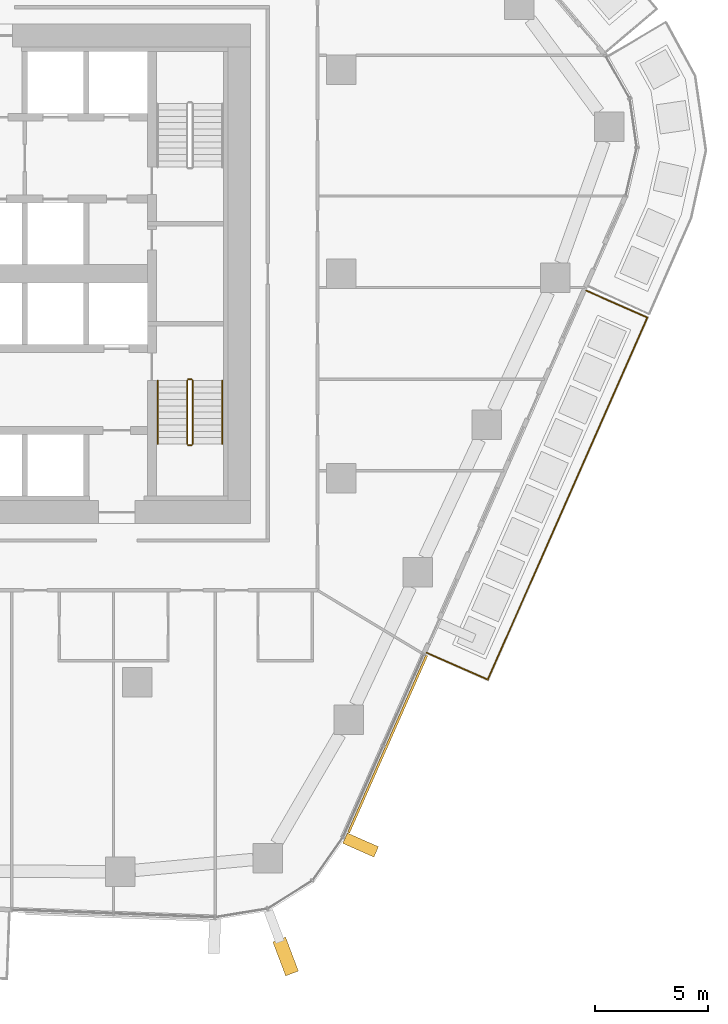
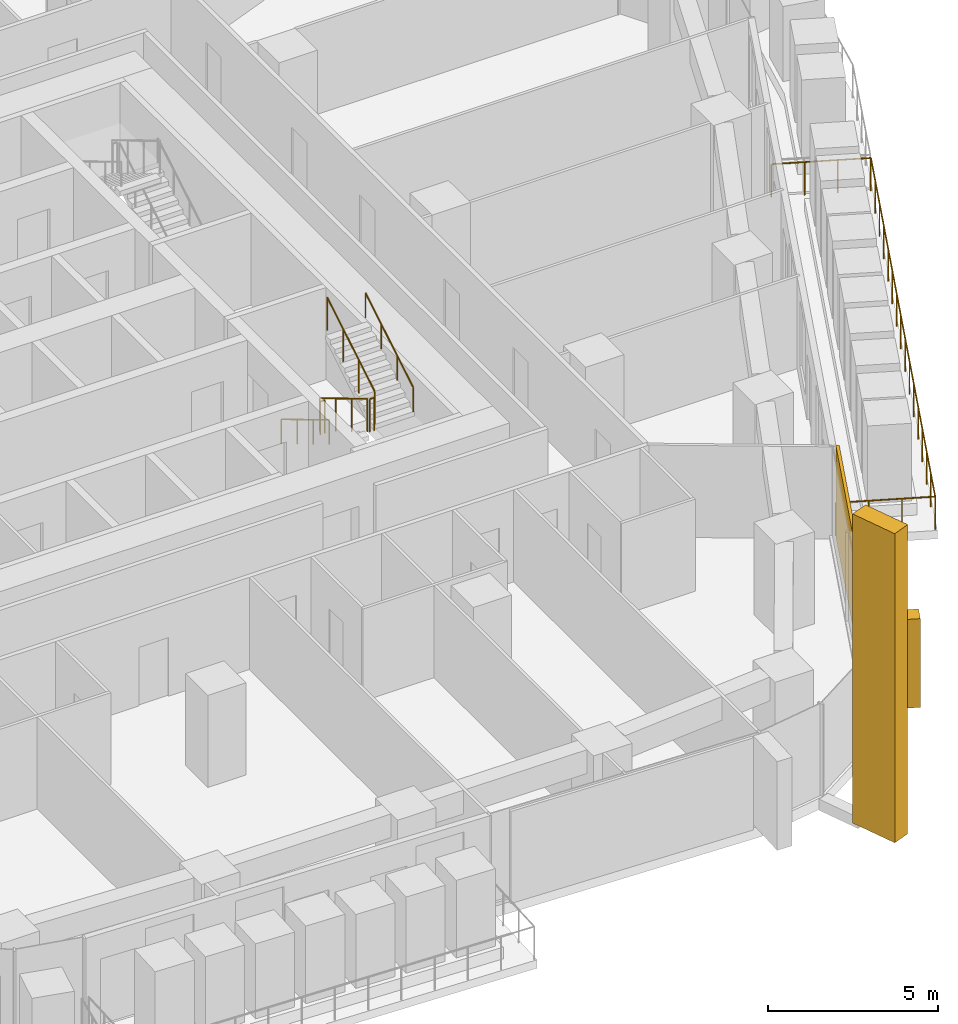
# One storey, part 21 of 24: 7 railings, 3 coverings, 2 elements without a shape of their own.
"""IFC4 building model written with IfcOpenShell, lengths in metres."""

from ifc_helpers import new_model, si_unit, direction, frame, origin, origin_2d, place, context, subcontext, project, spatial, rectangle, circle, extrude, material, layer, layer_set, material_profile, profile_set, type_object, element, aggregate, save


model = new_model("IFC4")

# Units and contexts
model_context = context("Model", 3, precision=1e-05, world=origin(), true_north=direction((0.0, 1.0)))
body_context = subcontext(model_context, "Body", "Model", "MODEL_VIEW")
ifc_project = project(units=[si_unit("LENGTHUNIT", "METRE"), si_unit("AREAUNIT", "SQUARE_METRE"), si_unit("VOLUMEUNIT", "CUBIC_METRE"), si_unit("PLANEANGLEUNIT", "RADIAN"), si_unit("MASSUNIT", "GRAM", prefix="KILO")], contexts=[model_context])

# Site, building, storey
site_placement = place(None, origin())
site = spatial("IfcSite", under=ifc_project, at=site_placement, CompositionType="ELEMENT")
building_placement = place(site_placement, origin())
building = spatial("IfcBuilding", under=site, at=building_placement, Name="Dongbaek Canopy Tower", CompositionType="ELEMENT")
storey_placement = place(building_placement, frame((0.0, 0.0, 106.300048828125)))
storey = spatial("IfcBuildingStorey", under=building, at=storey_placement, Name="L22", CompositionType="ELEMENT", Elevation=106.300048828125)

# Railing
ifc_material_1 = material(Name="Stainless steel", Category="steel")
railing_type_1 = type_object("IfcRailingType", Name="Balcony balustrade 1200", PredefinedType="BALUSTRADE", material=ifc_material_1)
railing_1_placement = place(storey_placement, frame((21.762451171875, -16.699462890625, 0.0)))
element("IfcRailing", 1, at=railing_1_placement, inside=storey, type_object=railing_type_1, Name="Balcony guard L22 5", PredefinedType="BALUSTRADE", context=body_context, shape_type="SweptSolid", body=[
    extrude(circle(Radius=0.02392578125, at=origin_2d()), frame((0.0, 0.0, 1.17578125), z_axis=(0.915080991886, -0.403270105871, 0.0), x_axis=(0.403270105871, 0.915080991886, 0.0)), (0.0, 0.0, 1.0), 2.93994140625),
    extrude(circle(Radius=0.02392578125, at=origin_2d()), frame((2.690185546875, -1.185546875, 1.17578125), z_axis=(0.403288921508, 0.915072699729, 0.0), x_axis=(-0.915072699729, 0.403288921508, 0.0)), (0.0, 0.0, 1.0), 17.437255859375),
    extrude(circle(Radius=0.02392578125, at=origin_2d()), frame((9.722412109375, 14.770751953125, 1.17578125), z_axis=(-0.915050344332, 0.403339642656, 0.0), x_axis=(-0.403339642656, -0.915050344332, 0.0)), (0.0, 0.0, 1.0), 2.93994140625),
    extrude(circle(Radius=0.02099609375, at=origin_2d()), origin(), (0.0, 0.0, 1.0), 1.15185546875),
    extrude(circle(Radius=0.02099609375, at=origin_2d()), frame((0.896728515625, -0.395263671875, 0.0)), (0.0, 0.0, 1.0), 1.15185546875),
    extrude(circle(Radius=0.02099609375, at=origin_2d()), frame((1.79345703125, -0.790283203125, 0.0)), (0.0, 0.0, 1.0), 1.15185546875),
    extrude(circle(Radius=0.02099609375, at=origin_2d()), frame((2.690185546875, -1.185546875, 0.0)), (0.0, 0.0, 1.0), 1.15185546875),
    extrude(circle(Radius=0.02099609375, at=origin_2d()), frame((3.158935546875, -0.121826171875, 0.0)), (0.0, 0.0, 1.0), 1.15185546875),
    extrude(circle(Radius=0.02099609375, at=origin_2d()), frame((3.6279296875, 0.94189453125, 0.0)), (0.0, 0.0, 1.0), 1.15185546875),
    extrude(circle(Radius=0.02099609375, at=origin_2d()), frame((4.0966796875, 2.005615234375, 0.0)), (0.0, 0.0, 1.0), 1.15185546875),
    extrude(circle(Radius=0.02099609375, at=origin_2d()), frame((4.5654296875, 3.069580078125, 0.0)), (0.0, 0.0, 1.0), 1.15185546875),
    extrude(circle(Radius=0.02099609375, at=origin_2d()), frame((5.0341796875, 4.13330078125, 0.0)), (0.0, 0.0, 1.0), 1.15185546875),
    extrude(circle(Radius=0.02099609375, at=origin_2d()), frame((5.503173828125, 5.197021484375, 0.0)), (0.0, 0.0, 1.0), 1.15185546875),
    extrude(circle(Radius=0.02099609375, at=origin_2d()), frame((5.971923828125, 6.2607421875, 0.0)), (0.0, 0.0, 1.0), 1.15185546875),
    extrude(circle(Radius=0.02099609375, at=origin_2d()), frame((6.440673828125, 7.324462890625, 0.0)), (0.0, 0.0, 1.0), 1.15185546875),
    extrude(circle(Radius=0.02099609375, at=origin_2d()), frame((6.909423828125, 8.38818359375, 0.0)), (0.0, 0.0, 1.0), 1.15185546875),
    extrude(circle(Radius=0.02099609375, at=origin_2d()), frame((7.37841796875, 9.451904296875, 0.0)), (0.0, 0.0, 1.0), 1.15185546875),
    extrude(circle(Radius=0.02099609375, at=origin_2d()), frame((7.84716796875, 10.515625, 0.0)), (0.0, 0.0, 1.0), 1.15185546875),
    extrude(circle(Radius=0.02099609375, at=origin_2d()), frame((8.31591796875, 11.57958984375, 0.0)), (0.0, 0.0, 1.0), 1.15185546875),
    extrude(circle(Radius=0.02099609375, at=origin_2d()), frame((8.78466796875, 12.643310546875, 0.0)), (0.0, 0.0, 1.0), 1.15185546875),
    extrude(circle(Radius=0.02099609375, at=origin_2d()), frame((9.253662109375, 13.70703125, 0.0)), (0.0, 0.0, 1.0), 1.15185546875),
    extrude(circle(Radius=0.02099609375, at=origin_2d()), frame((9.722412109375, 14.770751953125, 0.0)), (0.0, 0.0, 1.0), 1.15185546875),
    extrude(circle(Radius=0.02099609375, at=origin_2d()), frame((8.82568359375, 15.166015625, 0.0)), (0.0, 0.0, 1.0), 1.15185546875),
    extrude(circle(Radius=0.02099609375, at=origin_2d()), frame((7.928955078125, 15.561279296875, 0.0)), (0.0, 0.0, 1.0), 1.15185546875),
    extrude(circle(Radius=0.02099609375, at=origin_2d()), frame((7.0322265625, 15.95654296875, 0.0)), (0.0, 0.0, 1.0), 1.15185546875),
])

# Curtain wall, covering
ifc_material_2 = material(Name="Aluminium 6063-T6 pale anodised", Category="aluminium")
ifc_layer_1 = layer(ifc_material_2, 0.199951171875)
ifc_layer_set_1 = layer_set([ifc_layer_1], Name="CW-1 unitised tower curtain wall")
curtain_wall_type = type_object("IfcCurtainWallType", Name="CW-1 unitised tower curtain wall", PredefinedType="NOTDEFINED", material=ifc_layer_set_1)
curtain_wall_1_placement = place(storey_placement, origin())
curtain_wall_1 = element("IfcCurtainWall", 2, at=curtain_wall_1_placement, inside=storey, type_object=curtain_wall_type, Name="CW-1 curtain wall K5.1", PredefinedType="NOTDEFINED")
ifc_material_3 = material(Name="Aluminium 6063-T6 pale metal fin", Category="aluminium")
ifc_material_profile_1 = material_profile(ifc_material_3, rectangle(XDim=1.60009765625, YDim=0.60009765625, at=origin_2d()), Name="Corner fin CN1 600 x 1600 pale metal")
ifc_profile_set_1 = profile_set([ifc_material_profile_1], Name="Aluminium 6063-T6 pale metal fin")
covering_type_1 = type_object("IfcCoveringType", Name="Corner fin CN1 600 x 1600 pale metal", PredefinedType="CLADDING", material=ifc_profile_set_1)
covering_1_placement = place(storey_placement, frame((15.54296875, -30.0849609375, -0.199951171875), z_axis=(0.0, 0.0, 1.0), x_axis=(0.352875585883, -0.935670252219, 0.0)))
covering_1 = element("IfcCovering", 3, at=covering_1_placement, type_object=covering_type_1, Name="Corner fin L22 L24 K5", PredefinedType="CLADDING", context=body_context, shape_type="SweptSolid", body=[
    extrude(rectangle(XDim=1.60009765625, YDim=0.60009765625, at=origin_2d()), origin(), (0.0, 0.0, 1.0), 11.079833984375),
])
aggregate(curtain_wall_1, [covering_1])

# Curtain wall, coverings
curtain_wall_2_placement = place(storey_placement, origin())
curtain_wall_2 = element("IfcCurtainWall", 4, at=curtain_wall_2_placement, inside=storey, type_object=curtain_wall_type, Name="CW-1 curtain wall F5.1", PredefinedType="NOTDEFINED")
ifc_material_4 = material(Name="Perforated aluminium 6063-T6 pale metal screen", Category="aluminium")
ifc_layer_2 = layer(ifc_material_4, 0.10009765625)
ifc_layer_set_2 = layer_set([ifc_layer_2], Name="Facet screen FS1 100 pale metal")
covering_type_2 = type_object("IfcCoveringType", Name="Facet screen FS1 100 pale metal", PredefinedType="CLADDING", material=ifc_layer_set_2)
covering_2_placement = place(storey_placement, frame((20.040283203125, -20.720703125, 0.0), z_axis=(0.0, 0.0, 1.0), x_axis=(0.403288178578, 0.915073027151, 0.0)))
covering_2 = element("IfcCovering", 5, at=covering_2_placement, type_object=covering_type_2, Name="Facet screen L22 F5", PredefinedType="CLADDING", context=body_context, shape_type="SweptSolid", body=[
    extrude(rectangle(XDim=8.52880859375, YDim=0.10009765625, at=origin_2d()), origin(), (0.0, 0.0, 1.0), 3.300048828125),
])
ifc_material_5 = material(Name="Aluminium 6063-T6 pale metal fin", Category="aluminium")
ifc_material_profile_2 = material_profile(ifc_material_5, rectangle(XDim=1.5, YDim=0.5, at=origin_2d()), Name="Fin FN1 500 x 1500 pale metal")
ifc_profile_set_2 = profile_set([ifc_material_profile_2], Name="Aluminium 6063-T6 pale metal fin")
covering_type_3 = type_object("IfcCoveringType", Name="Fin FN1 500 x 1500 pale metal", PredefinedType="CLADDING", material=ifc_profile_set_2)
covering_3_placement = place(storey_placement, frame((18.847900390625, -25.17236328125, 0.119873046875), z_axis=(0.0, 0.0, 1.0), x_axis=(0.915072764797, -0.403288773867, 0.0)))
covering_3 = element("IfcCovering", 6, at=covering_3_placement, type_object=covering_type_3, Name="Fin F5.1.1", PredefinedType="CLADDING", context=body_context, shape_type="SweptSolid", body=[
    extrude(rectangle(XDim=1.5, YDim=0.5, at=origin_2d()), origin(), (0.0, 0.0, 1.0), 3.18017578125),
])
aggregate(curtain_wall_2, [covering_3, covering_2])

# Railings
ifc_material_6 = material(Name="Stainless steel tube and balusters", Category="steel")
railing_type_2 = type_object("IfcRailingType", Name="Stair guard 1200", PredefinedType="GUARDRAIL", material=ifc_material_6)
railing_2_placement = place(storey_placement, frame((11.199951171875, -4.699951171875, 0.168212890625)))
element("IfcRailing", 7, at=railing_2_placement, inside=storey, type_object=railing_type_2, Name="L22 ST-B stair guard 1", PredefinedType="GUARDRAIL", context=body_context, shape_type="SweptSolid", body=[
    extrude(circle(Radius=0.02392578125, at=origin_2d()), frame((0.0, 0.0, 1.17578125), z_axis=(0.0, -0.857275202839, 0.514858452973), x_axis=(1.0, 0.0, 0.0)), (0.0, 0.0, 1.0), 3.26611328125),
    extrude(circle(Radius=0.02099609375, at=origin_2d()), origin(), (0.0, 0.0, 1.0), 1.15185546875),
    extrude(circle(Radius=0.02099609375, at=origin_2d()), frame((0.0, -0.933349609375, 0.560546875)), (0.0, 0.0, 1.0), 1.15185546875),
    extrude(circle(Radius=0.02099609375, at=origin_2d()), frame((0.0, -1.86669921875, 1.12109375)), (0.0, 0.0, 1.0), 1.15185546875),
    extrude(circle(Radius=0.02099609375, at=origin_2d()), frame((0.0, -2.800048828125, 1.681640625)), (0.0, 0.0, 1.0), 1.15185546875),
])
railing_3_placement = place(storey_placement, frame((11.25, -7.550048828125, 1.849853515625)))
element("IfcRailing", 8, at=railing_3_placement, inside=storey, type_object=railing_type_2, Name="L22 ST-B stair guard 2", PredefinedType="GUARDRAIL", context=body_context, shape_type="SweptSolid", body=[
    extrude(circle(Radius=0.02392578125, at=origin_2d()), frame((0.0, 0.0, 1.17578125), z_axis=(1.0, 0.0, 0.0), x_axis=(0.0, 1.0, 0.0)), (0.0, 0.0, 1.0), 0.14990234375),
    extrude(circle(Radius=0.02099609375, at=origin_2d()), origin(), (0.0, 0.0, 1.0), 1.15185546875),
    extrude(circle(Radius=0.02099609375, at=origin_2d()), frame((0.14990234375, 0.0, 0.0)), (0.0, 0.0, 1.0), 1.15185546875),
])
railing_4_placement = place(storey_placement, frame((11.449951171875, -7.5, 2.01806640625)))
element("IfcRailing", 9, at=railing_4_placement, inside=storey, type_object=railing_type_2, Name="L22 ST-B stair guard 3", PredefinedType="GUARDRAIL", context=body_context, shape_type="SweptSolid", body=[
    extrude(circle(Radius=0.02392578125, at=origin_2d()), frame((0.0, 0.0, 1.17578125), z_axis=(0.0, 0.857242210791, 0.514913383045), x_axis=(-1.0, 0.0, 0.0)), (0.0, 0.0, 1.0), 3.266357421875),
    extrude(circle(Radius=0.02099609375, at=origin_2d()), origin(), (0.0, 0.0, 1.0), 1.15185546875),
    extrude(circle(Radius=0.02099609375, at=origin_2d()), frame((0.0, 0.933349609375, 0.560546875)), (0.0, 0.0, 1.0), 1.15185546875),
    extrude(circle(Radius=0.02099609375, at=origin_2d()), frame((0.0, 1.86669921875, 1.121337890625)), (0.0, 0.0, 1.0), 1.15185546875),
    extrude(circle(Radius=0.02099609375, at=origin_2d()), frame((0.0, 2.800048828125, 1.681884765625)), (0.0, 0.0, 1.0), 1.15185546875),
])
railing_5_placement = place(storey_placement, frame((11.25, -4.64990234375, 0.0)))
element("IfcRailing", 10, at=railing_5_placement, inside=storey, type_object=railing_type_2, Name="L22 ST-B stair guard 4", PredefinedType="GUARDRAIL", context=body_context, shape_type="SweptSolid", body=[
    extrude(circle(Radius=0.02392578125, at=origin_2d()), frame((0.0, 0.0, 1.17578125), z_axis=(1.0, 0.0, 0.0), x_axis=(0.0, 1.0, 0.0)), (0.0, 0.0, 1.0), 0.14990234375),
    extrude(circle(Radius=0.02099609375, at=origin_2d()), origin(), (0.0, 0.0, 1.0), 1.15185546875),
    extrude(circle(Radius=0.02099609375, at=origin_2d()), frame((0.14990234375, 0.0, 0.0)), (0.0, 0.0, 1.0), 1.15185546875),
])
ifc_material_7 = material(Name="Stainless steel tube", Category="steel")
railing_type_3 = type_object("IfcRailingType", Name="Stair handrail 900", PredefinedType="HANDRAIL", material=ifc_material_7)
railing_6_placement = place(storey_placement, frame((9.89990234375, -4.699951171875, 0.168212890625)))
element("IfcRailing", 11, at=railing_6_placement, inside=storey, type_object=railing_type_3, Name="L22 ST-B stair handrail 1", PredefinedType="HANDRAIL", context=body_context, shape_type="SweptSolid", body=[
    extrude(circle(Radius=0.02392578125, at=origin_2d()), frame((0.0, 0.0, 0.8759765625), z_axis=(0.0, -0.857275202839, 0.514858452973), x_axis=(1.0, 0.0, 0.0)), (0.0, 0.0, 1.0), 3.26611328125),
    extrude(circle(Radius=0.02099609375, at=origin_2d()), origin(), (0.0, 0.0, 1.0), 0.851806640625),
    extrude(circle(Radius=0.02099609375, at=origin_2d()), frame((0.0, -0.933349609375, 0.560546875)), (0.0, 0.0, 1.0), 0.851806640625),
    extrude(circle(Radius=0.02099609375, at=origin_2d()), frame((0.0, -1.86669921875, 1.12109375)), (0.0, 0.0, 1.0), 0.851806640625),
    extrude(circle(Radius=0.02099609375, at=origin_2d()), frame((0.0, -2.800048828125, 1.681640625)), (0.0, 0.0, 1.0), 0.851806640625),
])
railing_7_placement = place(storey_placement, frame((12.75, -7.5, 2.01806640625)))
element("IfcRailing", 12, at=railing_7_placement, inside=storey, type_object=railing_type_3, Name="L22 ST-B stair handrail 2", PredefinedType="HANDRAIL", context=body_context, shape_type="SweptSolid", body=[
    extrude(circle(Radius=0.02392578125, at=origin_2d()), frame((0.0, 0.0, 0.8759765625), z_axis=(0.0, 0.857242210791, 0.514913383045), x_axis=(-1.0, 0.0, 0.0)), (0.0, 0.0, 1.0), 3.266357421875),
    extrude(circle(Radius=0.02099609375, at=origin_2d()), origin(), (0.0, 0.0, 1.0), 0.851806640625),
    extrude(circle(Radius=0.02099609375, at=origin_2d()), frame((0.0, 0.933349609375, 0.560546875)), (0.0, 0.0, 1.0), 0.851806640625),
    extrude(circle(Radius=0.02099609375, at=origin_2d()), frame((0.0, 1.86669921875, 1.121337890625)), (0.0, 0.0, 1.0), 0.851806640625),
    extrude(circle(Radius=0.02099609375, at=origin_2d()), frame((0.0, 2.800048828125, 1.681884765625)), (0.0, 0.0, 1.0), 0.851806640625),
])

save(model, "model.ifc")
